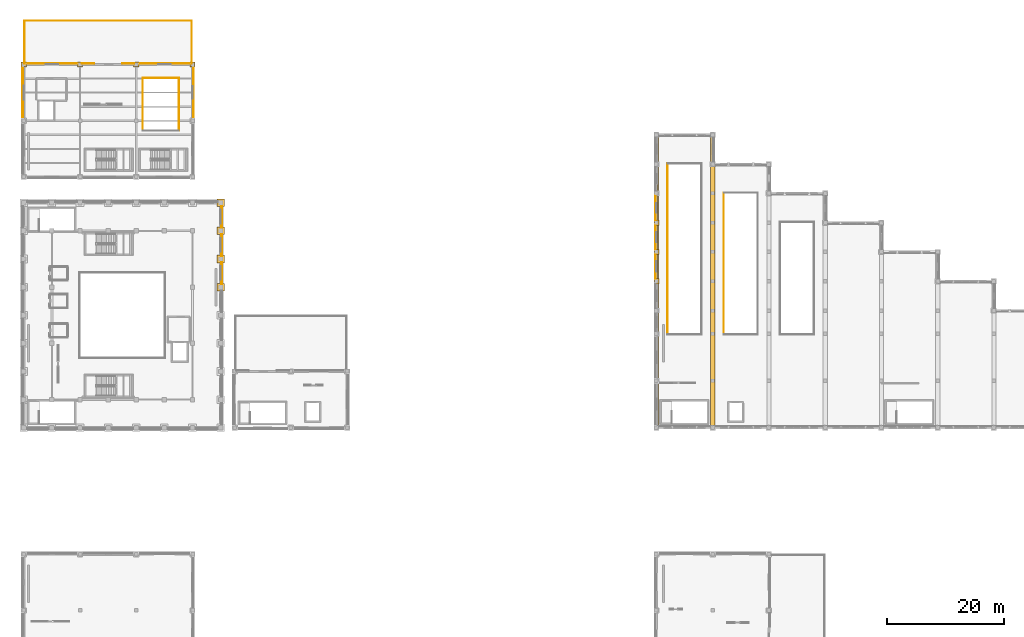
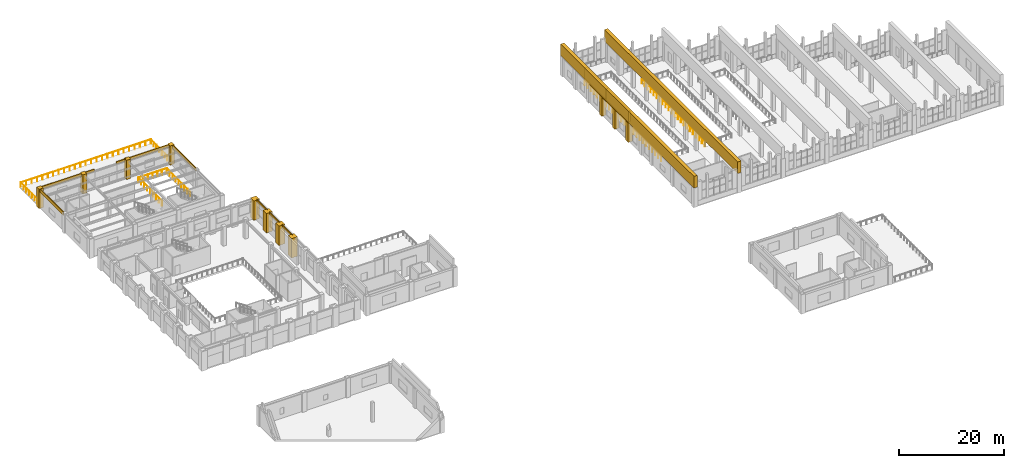
# One storey, part 43 of 46: 27 coverings, 8 railings.
"""IFC4 building model written with IfcOpenShell, lengths in metres."""

import ifcopenshell
import ifcopenshell.guid

model = None  # the IFC model being written
_history = None  # IfcOwnerHistory: only IFC2X3 demands one
_inside = {}  # id of a spatial element -> (the spatial element, [elements in it])
_under = {}  # id of a project, library or spatial element -> (it, [spatial elements below it])
_declared = {}  # id of a project -> (the project, [libraries it declares])
_typed = {}  # id of a type object -> (the type object, [elements of that type])
_made_of = {}  # id of a material, layer set ... -> (it, [elements and type objects made of it])


def new_model(schema):
    """Start an empty IFC model of exactly this schema.

    Asked for "IFC4X3", IfcOpenShell would pick the latest addendum, in which some entities
    have other attributes; the version numbers below select the first issue.
    IFC2X3 requires an IfcOwnerHistory on every rooted entity: one is made here for all.
    """
    global model, _history
    if schema == "IFC4X3":
        model = ifcopenshell.file(schema_version=(4, 3, 0, 0))
    else:
        model = ifcopenshell.file(schema=schema)
    _inside.clear()
    _under.clear()
    _declared.clear()
    _typed.clear()
    _made_of.clear()
    _history = None
    if model.schema == "IFC2X3":
        org = make("IfcOrganization", Name="unknown")
        user = make(
            "IfcPersonAndOrganization",
            ThePerson=make("IfcPerson", FamilyName="unknown"),
            TheOrganization=org,
        )
        app = make(
            "IfcApplication",
            ApplicationDeveloper=org,
            Version="unknown",
            ApplicationFullName="unknown",
            ApplicationIdentifier="unknown",
        )
        _history = make(
            "IfcOwnerHistory",
            OwningUser=user,
            OwningApplication=app,
            ChangeAction="ADDED",
            CreationDate=0,
        )
    return model


def make(cls, **values):
    """One entity of the class cls with the attributes given. An attribute that is None is left unset."""
    return model.create_entity(
        cls, **{name: value for name, value in values.items() if value is not None}
    )


def rooted(cls, **values):
    """An entity with a GlobalId (a new one), such as an element, a storey or a relation."""
    return make(cls, GlobalId=ifcopenshell.guid.new(), OwnerHistory=_history, **values)


def si_unit(unit_type, name, prefix=None):
    """IfcSIUnit, for example si_unit("LENGTHUNIT", "METRE", prefix="MILLI")."""
    return make("IfcSIUnit", UnitType=unit_type, Prefix=prefix, Name=name)


def assignment(units):
    """IfcUnitAssignment: the units of a project."""
    return None if units is None else make("IfcUnitAssignment", Units=units)


def point(xyz):
    """IfcCartesianPoint."""
    return None if xyz is None else make("IfcCartesianPoint", Coordinates=xyz)


def direction(xyz):
    """IfcDirection."""
    return None if xyz is None else make("IfcDirection", DirectionRatios=xyz)


def frame(location, z_axis=None, x_axis=None):
    """IfcAxis2Placement3D, a coordinate frame: its origin and axes. An axis left out is left unset."""
    return make(
        "IfcAxis2Placement3D",
        Location=point(location),
        Axis=direction(z_axis),
        RefDirection=direction(x_axis),
    )


def frame_2d(location, x_axis=None):
    """IfcAxis2Placement2D, a coordinate frame in the plane: its origin and x axis."""
    return make(
        "IfcAxis2Placement2D", Location=point(location), RefDirection=direction(x_axis)
    )


def origin():
    """The frame at (0, 0, 0) with its axes left unset."""
    return frame((0.0, 0.0, 0.0))


def origin_2d():
    """The frame at (0, 0) in the plane with its x axis left unset."""
    return frame_2d((0.0, 0.0))


def place(relative_to, where):
    """IfcLocalPlacement: puts the frame where relative to a parent placement (None: the world)."""
    return make(
        "IfcLocalPlacement", PlacementRelTo=relative_to, RelativePlacement=where
    )


def context(
    kind, dimensions, precision=None, world=None, true_north=None, identifier=None
):
    """IfcGeometricRepresentationContext, for example the 3D "Model" context."""
    return make(
        "IfcGeometricRepresentationContext",
        ContextIdentifier=identifier,
        ContextType=kind,
        CoordinateSpaceDimension=dimensions,
        Precision=precision,
        WorldCoordinateSystem=world,
        TrueNorth=true_north,
    )


def subcontext(parent, identifier, kind, view, scale=None):
    """IfcGeometricRepresentationSubContext, for example "Body" below "Model"."""
    return make(
        "IfcGeometricRepresentationSubContext",
        ContextIdentifier=identifier,
        ContextType=kind,
        ParentContext=parent,
        TargetScale=scale,
        TargetView=view,
    )


def project(units=None, contexts=None):
    """IfcProject with its units and contexts."""
    return rooted(
        "IfcProject",
        Name="project",
        RepresentationContexts=contexts,
        UnitsInContext=assignment(units),
    )


def spatial(cls, under=None, at=None, **own):
    """A site, building, storey or space (cls), placed at a placement, below another one or the project."""
    s = rooted(cls, ObjectPlacement=at, **own)
    if under is not None:
        _under.setdefault(under.id(), (under, []))[1].append(s)
    return s


def polyline(points):
    """IfcPolyline through the points."""
    return make("IfcPolyline", Points=[point(p) for p in points])


def profile(cls, at=None, kind="AREA", **sizes):
    """A parametric profile (cls). Its sizes go by their IFC names, for example OverallWidth=200.0."""
    return make(cls, ProfileType=kind, Position=at, **sizes)


def circle(**sizes):
    """IfcCircleProfileDef."""
    return profile("IfcCircleProfileDef", **sizes)


def outline(outer, holes=None, kind="AREA"):
    """IfcArbitraryClosedProfileDef: a profile drawn as a closed curve; with holes, ...WithVoids."""
    if holes is None:
        return make("IfcArbitraryClosedProfileDef", ProfileType=kind, OuterCurve=outer)
    return make(
        "IfcArbitraryProfileDefWithVoids",
        ProfileType=kind,
        OuterCurve=outer,
        InnerCurves=holes,
    )


def extrude(swept, where, along, depth):
    """IfcExtrudedAreaSolid: the profile swept, set in the frame where, extruded along a direction by depth."""
    return make(
        "IfcExtrudedAreaSolid",
        SweptArea=swept,
        Position=where,
        ExtrudedDirection=direction(along),
        Depth=depth,
    )


def shape(context_of_items, identifier, shape_type, items):
    """IfcShapeRepresentation: the items that make up one representation, for example the "Body"."""
    return make(
        "IfcShapeRepresentation",
        ContextOfItems=context_of_items,
        RepresentationIdentifier=identifier,
        RepresentationType=shape_type,
        Items=items,
    )


def material(Name=None, Category=None):
    """IfcMaterial."""
    return make("IfcMaterial", Name=Name, Category=Category)


def layer(
    of_material, thickness, ventilated=None, Name=None, Category=None, Priority=None
):
    """IfcMaterialLayer: one layer of a wall or slab, of a material (None: an air gap)."""
    return make(
        "IfcMaterialLayer",
        Material=of_material,
        LayerThickness=thickness,
        IsVentilated=ventilated,
        Name=Name,
        Category=Category,
        Priority=Priority,
    )


def layer_set(layers, Name=None):
    """IfcMaterialLayerSet."""
    return make("IfcMaterialLayerSet", MaterialLayers=layers, LayerSetName=Name)


def made_of(thing, what):
    """Note that an element or type object is made of a material, layer set ...; save() writes the relation."""
    if what is not None:
        _made_of.setdefault(what.id(), (what, []))[1].append(thing)
    return thing


def type_object(cls, material=None, **own):
    """A type object (cls), such as IfcWallType, which elements share."""
    return made_of(rooted(cls, **own), material)


def element(
    cls,
    number,
    at=None,
    inside=None,
    cuts=None,
    type_object=None,
    material=None,
    context=None,
    identifier="Body",
    shape_type=None,
    held_by="IfcProductDefinitionShape",
    body=None,
    shapes=None,
    **own,
):
    """One element of the class cls, such as IfcWall. Its Tag is "e" and its number.

    at: its placement. inside: the storey or other place that contains it. cuts: it is an
    opening in that element (IfcRelVoidsElement). A single representation is given by context,
    identifier, shape_type and body (its items); several are given by shapes. held_by: the class
    of the entity that holds the representations. save() writes the other relations.
    """
    e = rooted(cls, Tag="e%d" % number, ObjectPlacement=at, **own)
    if body is not None:
        shapes = [shape(context, identifier, shape_type, body)]
    if shapes is not None:
        e.Representation = make(held_by, Representations=shapes)
    if inside is not None:
        _inside.setdefault(inside.id(), (inside, []))[1].append(e)
    if cuts is not None:
        rooted(
            "IfcRelVoidsElement", RelatingBuildingElement=cuts, RelatedOpeningElement=e
        )
    if type_object is not None:
        _typed.setdefault(type_object.id(), (type_object, []))[1].append(e)
    return made_of(e, material)


def aggregate(whole, parts):
    """IfcRelAggregates: a whole, such as a stair, and the parts it consists of."""
    return rooted("IfcRelAggregates", RelatingObject=whole, RelatedObjects=parts)


def save(model, path):
    """Write the relations noted so far, then the file.

    IfcRelAggregates (storeys below a building ...), IfcRelContainedInSpatialStructure (elements
    in a storey), IfcRelDefinesByType, IfcRelAssociatesMaterial and IfcRelDeclares: one each for
    every whole, place, type object, material and project.
    """
    for whole, parts in _under.values():
        aggregate(whole, parts)
    for where, things in _inside.values():
        rooted(
            "IfcRelContainedInSpatialStructure",
            RelatedElements=things,
            RelatingStructure=where,
        )
    for kind, things in _typed.values():
        rooted("IfcRelDefinesByType", RelatedObjects=things, RelatingType=kind)
    for what, things in _made_of.values():
        rooted("IfcRelAssociatesMaterial", RelatedObjects=things, RelatingMaterial=what)
    for by, libraries in _declared.values():
        rooted("IfcRelDeclares", RelatingContext=by, RelatedDefinitions=libraries)
    model.write(path)


model = new_model("IFC4")

# Units and contexts
model_context = context("Model", 3, precision=1e-05, world=origin(), true_north=direction((0.0, 1.0)))
body_context = subcontext(model_context, "Body", "Model", "MODEL_VIEW")
ifc_project = project(units=[si_unit("LENGTHUNIT", "METRE"), si_unit("AREAUNIT", "SQUARE_METRE"), si_unit("VOLUMEUNIT", "CUBIC_METRE"), si_unit("PLANEANGLEUNIT", "RADIAN"), si_unit("MASSUNIT", "GRAM", prefix="KILO")], contexts=[model_context])

# Site, building, storey
site_placement = place(None, origin())
site = spatial("IfcSite", under=ifc_project, at=site_placement, CompositionType="ELEMENT")
building_placement = place(site_placement, origin())
building = spatial("IfcBuilding", under=site, at=building_placement, Name="Mavantir Sound Aquarium", CompositionType="ELEMENT")
storey_placement = place(building_placement, frame((0.0, 0.0, 15.300048828125)))
storey = spatial("IfcBuildingStorey", under=building, at=storey_placement, Name="L03", CompositionType="ELEMENT", Elevation=15.300048828125)

# Coverings
ifc_material_1 = material(Name="Honed Coral-Limestone & Glazed Terracotta Rainscreen Cladding", Category="masonry")
ifc_layer = layer(ifc_material_1, 0.06005859375, Name="Honed Coral-Limestone & Glazed Terracotta Rainscreen Cladding")
ifc_layer_set = layer_set([ifc_layer], Name="Honed Coral-Limestone & Glazed Terracotta Rainscreen Cladding")
covering_type = type_object("IfcCoveringType", Name="COV-CLAD-TC", PredefinedType="CLADDING", material=ifc_layer_set)
covering_1_placement = place(storey_placement, frame((0.0, 0.0, 4.02490234375)))
element("IfcCovering", 1, at=covering_1_placement, inside=storey, type_object=covering_type, Name="L03 Postmodern coral-limestone spandrel frieze 404", PredefinedType="CLADDING", context=body_context, shape_type="SweptSolid", body=[
    extrude(outline(polyline([(33.68994140625, 65.18310546875), (33.68994140625, 69.217041015625), (33.840087890625, 69.217041015625), (33.840087890625, 65.18310546875), (33.68994140625, 65.18310546875)])), origin(), (0.0, 0.0, 1.0), 0.47509765625),
])
covering_2_placement = place(storey_placement, frame((0.0, 0.0, 4.02490234375)))
element("IfcCovering", 2, at=covering_2_placement, inside=storey, type_object=covering_type, Name="L03 Postmodern coral-limestone spandrel frieze 405", PredefinedType="CLADDING", context=body_context, shape_type="SweptSolid", body=[
    extrude(outline(polyline([(33.68994140625, 69.98291015625), (33.68994140625, 74.01708984375), (33.840087890625, 74.01708984375), (33.840087890625, 69.98291015625), (33.68994140625, 69.98291015625)])), origin(), (0.0, 0.0, 1.0), 0.47509765625),
])
covering_3_placement = place(storey_placement, frame((0.0, 0.0, 4.02490234375)))
element("IfcCovering", 3, at=covering_3_placement, inside=storey, type_object=covering_type, Name="L03 Postmodern coral-limestone spandrel frieze 406", PredefinedType="CLADDING", context=body_context, shape_type="SweptSolid", body=[
    extrude(outline(polyline([(33.68994140625, 74.782958984375), (33.68994140625, 78.81689453125), (33.840087890625, 78.81689453125), (33.840087890625, 74.782958984375), (33.68994140625, 74.782958984375)])), origin(), (0.0, 0.0, 1.0), 0.47509765625),
])
covering_4_placement = place(storey_placement, frame((0.0, 0.0, 4.10986328125)))
element("IfcCovering", 4, at=covering_4_placement, inside=storey, type_object=covering_type, Name="L03 Postmodern coral-limestone spandrel frieze 454", PredefinedType="CLADDING", context=body_context, shape_type="SweptSolid", body=[
    extrude(outline(polyline([(107.909912109375, 80.491943359375), (107.909912109375, 76.10791015625), (107.760009765625, 76.10791015625), (107.760009765625, 80.491943359375), (107.909912109375, 80.491943359375)])), origin(), (0.0, 0.0, 1.0), 0.39013671875),
])
covering_5_placement = place(storey_placement, frame((0.0, 0.0, 4.10986328125)))
element("IfcCovering", 5, at=covering_5_placement, inside=storey, type_object=covering_type, Name="L03 Postmodern coral-limestone spandrel frieze 455", PredefinedType="CLADDING", context=body_context, shape_type="SweptSolid", body=[
    extrude(outline(polyline([(107.909912109375, 75.491943359375), (107.909912109375, 71.10791015625), (107.760009765625, 71.10791015625), (107.760009765625, 75.491943359375), (107.909912109375, 75.491943359375)])), origin(), (0.0, 0.0, 1.0), 0.39013671875),
])
covering_6_placement = place(storey_placement, frame((0.0, 0.0, 4.10986328125)))
element("IfcCovering", 6, at=covering_6_placement, inside=storey, type_object=covering_type, Name="L03 Postmodern coral-limestone spandrel frieze 456", PredefinedType="CLADDING", context=body_context, shape_type="SweptSolid", body=[
    extrude(outline(polyline([(107.909912109375, 70.491943359375), (107.909912109375, 66.10791015625), (107.760009765625, 66.10791015625), (107.760009765625, 70.491943359375), (107.909912109375, 70.491943359375)])), origin(), (0.0, 0.0, 1.0), 0.39013671875),
])
covering_7_placement = place(storey_placement, frame((0.0, 0.0, 3.77294921875)))
element("IfcCovering", 7, at=covering_7_placement, inside=storey, type_object=covering_type, Name="L03 Postmodern coral-limestone spandrel frieze 465", PredefinedType="CLADDING", context=body_context, shape_type="SweptSolid", body=[
    extrude(outline(polyline([(28.889892578125, 93.508056640625), (28.889892578125, 102.491943359375), (29.0400390625, 102.491943359375), (29.0400390625, 93.508056640625), (28.889892578125, 93.508056640625)])), origin(), (0.0, 0.0, 1.0), 0.72705078125),
])
covering_8_placement = place(storey_placement, frame((0.0, 0.0, 3.827880859375)))
element("IfcCovering", 8, at=covering_8_placement, inside=storey, type_object=covering_type, Name="L03 Postmodern coral-limestone spandrel frieze 466", PredefinedType="CLADDING", context=body_context, shape_type="SweptSolid", body=[
    extrude(outline(polyline([(28.491943359375, 102.889892578125), (19.508056640625, 102.889892578125), (19.508056640625, 103.0400390625), (28.491943359375, 103.0400390625), (28.491943359375, 102.889892578125)])), origin(), (0.0, 0.0, 1.0), 0.672119140625),
])
covering_9_placement = place(storey_placement, frame((0.0, 0.0, 3.932861328125)))
element("IfcCovering", 9, at=covering_9_placement, inside=storey, type_object=covering_type, Name="L03 Postmodern coral-limestone spandrel frieze 467", PredefinedType="CLADDING", context=body_context, shape_type="SweptSolid", body=[
    extrude(outline(polyline([(18.89208984375, 102.889892578125), (16.804931640625, 102.889892578125), (16.804931640625, 103.0400390625), (18.89208984375, 103.0400390625), (18.89208984375, 102.889892578125)])), origin(), (0.0, 0.0, 1.0), 0.567138671875),
])
covering_10_placement = place(storey_placement, frame((0.0, 0.0, 3.932861328125)))
element("IfcCovering", 10, at=covering_10_placement, inside=storey, type_object=covering_type, Name="L03 Postmodern coral-limestone spandrel frieze 468", PredefinedType="CLADDING", context=body_context, shape_type="SweptSolid", body=[
    extrude(outline(polyline([(11.9951171875, 102.889892578125), (9.907958984375, 102.889892578125), (9.907958984375, 103.0400390625), (11.9951171875, 103.0400390625), (11.9951171875, 102.889892578125)])), origin(), (0.0, 0.0, 1.0), 0.567138671875),
])
covering_11_placement = place(storey_placement, frame((0.0, 0.0, 3.827880859375)))
element("IfcCovering", 11, at=covering_11_placement, inside=storey, type_object=covering_type, Name="L03 Postmodern coral-limestone spandrel frieze 469", PredefinedType="CLADDING", context=body_context, shape_type="SweptSolid", body=[
    extrude(outline(polyline([(9.2919921875, 102.889892578125), (0.30810546875, 102.889892578125), (0.30810546875, 103.0400390625), (9.2919921875, 103.0400390625), (9.2919921875, 102.889892578125)])), origin(), (0.0, 0.0, 1.0), 0.672119140625),
])
covering_12_placement = place(storey_placement, frame((0.0, 0.0, 3.718994140625)))
element("IfcCovering", 12, at=covering_12_placement, inside=storey, type_object=covering_type, Name="L03 Postmodern coral-limestone spandrel frieze 470", PredefinedType="CLADDING", context=body_context, shape_type="SweptSolid", body=[
    extrude(outline(polyline([(-0.090087890625, 102.491943359375), (-0.090087890625, 93.508056640625), (-0.239990234375, 93.508056640625), (-0.239990234375, 102.491943359375), (-0.090087890625, 102.491943359375)])), origin(), (0.0, 0.0, 1.0), 0.781005859375),
])
covering_13_placement = place(storey_placement, origin())
element("IfcCovering", 13, at=covering_13_placement, inside=storey, type_object=covering_type, Name="L03 Postmodern coral-limestone pilaster casing 108", PredefinedType="CLADDING", context=body_context, shape_type="SweptSolid", body=[
    extrude(outline(polyline([(32.949951171875, 64.14990234375), (34.25, 64.14990234375), (34.25, 65.449951171875), (32.949951171875, 65.449951171875), (32.949951171875, 64.14990234375)])), origin(), (0.0, 0.0, 1.0), 4.5),
])
covering_14_placement = place(storey_placement, origin())
element("IfcCovering", 14, at=covering_14_placement, inside=storey, type_object=covering_type, Name="L03 Postmodern coral-limestone pilaster casing 112", PredefinedType="CLADDING", context=body_context, shape_type="SweptSolid", body=[
    extrude(outline(polyline([(32.949951171875, 68.949951171875), (34.25, 68.949951171875), (34.25, 70.25), (32.949951171875, 70.25), (32.949951171875, 68.949951171875)])), origin(), (0.0, 0.0, 1.0), 4.5),
])
covering_15_placement = place(storey_placement, origin())
element("IfcCovering", 15, at=covering_15_placement, inside=storey, type_object=covering_type, Name="L03 Postmodern coral-limestone pilaster casing 116", PredefinedType="CLADDING", context=body_context, shape_type="SweptSolid", body=[
    extrude(outline(polyline([(32.949951171875, 73.75), (34.25, 73.75), (34.25, 75.050048828125), (32.949951171875, 75.050048828125), (32.949951171875, 73.75)])), origin(), (0.0, 0.0, 1.0), 4.5),
])
covering_16_placement = place(storey_placement, origin())
element("IfcCovering", 16, at=covering_16_placement, inside=storey, type_object=covering_type, Name="L03 Postmodern coral-limestone pilaster casing 120", PredefinedType="CLADDING", context=body_context, shape_type="SweptSolid", body=[
    extrude(outline(polyline([(32.949951171875, 78.550048828125), (34.25, 78.550048828125), (34.25, 79.85009765625), (32.949951171875, 79.85009765625), (32.949951171875, 78.550048828125)])), origin(), (0.0, 0.0, 1.0), 4.5),
])
covering_17_placement = place(storey_placement, origin())
element("IfcCovering", 17, at=covering_17_placement, inside=storey, type_object=covering_type, Name="L03 Postmodern coral-limestone pilaster casing 238", PredefinedType="CLADDING", context=body_context, shape_type="SweptSolid", body=[
    extrude(outline(polyline([(107.5400390625, 65.340087890625), (108.4599609375, 65.340087890625), (108.4599609375, 66.260009765625), (107.5400390625, 66.260009765625), (107.5400390625, 65.340087890625)])), origin(), (0.0, 0.0, 1.0), 4.5),
])
covering_18_placement = place(storey_placement, origin())
element("IfcCovering", 18, at=covering_18_placement, inside=storey, type_object=covering_type, Name="L03 Postmodern coral-limestone pilaster casing 240", PredefinedType="CLADDING", context=body_context, shape_type="SweptSolid", body=[
    extrude(outline(polyline([(107.5400390625, 70.340087890625), (108.4599609375, 70.340087890625), (108.4599609375, 71.260009765625), (107.5400390625, 71.260009765625), (107.5400390625, 70.340087890625)])), origin(), (0.0, 0.0, 1.0), 4.5),
])
covering_19_placement = place(storey_placement, origin())
element("IfcCovering", 19, at=covering_19_placement, inside=storey, type_object=covering_type, Name="L03 Postmodern coral-limestone pilaster casing 242", PredefinedType="CLADDING", context=body_context, shape_type="SweptSolid", body=[
    extrude(outline(polyline([(107.5400390625, 75.340087890625), (108.4599609375, 75.340087890625), (108.4599609375, 76.260009765625), (107.5400390625, 76.260009765625), (107.5400390625, 75.340087890625)])), origin(), (0.0, 0.0, 1.0), 4.5),
])
covering_20_placement = place(storey_placement, origin())
element("IfcCovering", 20, at=covering_20_placement, inside=storey, type_object=covering_type, Name="L03 Postmodern coral-limestone pilaster casing 358", PredefinedType="CLADDING", context=body_context, shape_type="SweptSolid", body=[
    extrude(outline(polyline([(-0.4599609375, 102.340087890625), (0.4599609375, 102.340087890625), (0.4599609375, 103.260009765625), (-0.4599609375, 103.260009765625), (-0.4599609375, 102.340087890625)])), origin(), (0.0, 0.0, 1.0), 4.5),
])
covering_21_placement = place(storey_placement, origin())
element("IfcCovering", 21, at=covering_21_placement, inside=storey, type_object=covering_type, Name="L03 Postmodern coral-limestone pilaster casing 372", PredefinedType="CLADDING", context=body_context, shape_type="SweptSolid", body=[
    extrude(outline(polyline([(9.139892578125, 102.340087890625), (10.06005859375, 102.340087890625), (10.06005859375, 103.260009765625), (9.139892578125, 103.260009765625), (9.139892578125, 102.340087890625)])), origin(), (0.0, 0.0, 1.0), 4.5),
])
covering_22_placement = place(storey_placement, origin())
element("IfcCovering", 22, at=covering_22_placement, inside=storey, type_object=covering_type, Name="L03 Postmodern coral-limestone pilaster casing 384", PredefinedType="CLADDING", context=body_context, shape_type="SweptSolid", body=[
    extrude(outline(polyline([(18.739990234375, 102.340087890625), (19.659912109375, 102.340087890625), (19.659912109375, 103.260009765625), (18.739990234375, 103.260009765625), (18.739990234375, 102.340087890625)])), origin(), (0.0, 0.0, 1.0), 4.5),
])
covering_23_placement = place(storey_placement, origin())
element("IfcCovering", 23, at=covering_23_placement, inside=storey, type_object=covering_type, Name="L03 Postmodern coral-limestone pilaster casing 401", PredefinedType="CLADDING", context=body_context, shape_type="SweptSolid", body=[
    extrude(outline(polyline([(28.340087890625, 102.340087890625), (29.260009765625, 102.340087890625), (29.260009765625, 103.260009765625), (28.340087890625, 103.260009765625), (28.340087890625, 102.340087890625)])), origin(), (0.0, 0.0, 1.0), 4.5),
])
covering_24_placement = place(storey_placement, frame((0.0, 0.0, 4.5)))
element("IfcCovering", 24, at=covering_24_placement, inside=storey, type_object=covering_type, Name="V4 scalloped ridge coral-limestone frieze W.2", PredefinedType="CLADDING", context=body_context, shape_type="SweptSolid", body=[
    extrude(outline(polyline([(107.780029296875, 73.71337890625), (108.219970703125, 73.71337890625), (108.219970703125, 82.28662109375), (107.780029296875, 82.28662109375), (107.780029296875, 73.71337890625)])), origin(), (0.0, 0.0, 1.0), 2.5),
])
covering_25_placement = place(storey_placement, frame((0.0, 0.0, 4.5)))
element("IfcCovering", 25, at=covering_25_placement, inside=storey, type_object=covering_type, Name="V4 scalloped ridge coral-limestone frieze W.3", PredefinedType="CLADDING", context=body_context, shape_type="SweptSolid", body=[
    extrude(outline(polyline([(107.780029296875, 65.580078125), (108.219970703125, 65.580078125), (108.219970703125, 74.1533203125), (107.780029296875, 74.1533203125), (107.780029296875, 65.580078125)])), origin(), (0.0, 0.0, 1.0), 2.5),
])
covering_26_placement = place(storey_placement, frame((0.0, 0.0, 4.5)))
element("IfcCovering", 26, at=covering_26_placement, inside=storey, type_object=covering_type, Name="V4 scalloped straight ridge limestone casing 1", PredefinedType="CLADDING", context=body_context, shape_type="SweptSolid", body=[
    extrude(outline(polyline([(107.639892578125, 40.449951171875), (108.360107421875, 40.449951171875), (108.360107421875, 91.14990234375), (107.639892578125, 91.14990234375), (107.639892578125, 40.449951171875)])), origin(), (0.0, 0.0, 1.0), 2.679931640625),
])
covering_27_placement = place(storey_placement, frame((0.0, 0.0, 4.5)))
element("IfcCovering", 27, at=covering_27_placement, inside=storey, type_object=covering_type, Name="V4 scalloped straight ridge limestone casing 2", PredefinedType="CLADDING", context=body_context, shape_type="SweptSolid", body=[
    extrude(outline(polyline([(117.239990234375, 40.449951171875), (117.9599609375, 40.449951171875), (117.9599609375, 91.14990234375), (117.239990234375, 91.14990234375), (117.239990234375, 40.449951171875)])), origin(), (0.0, 0.0, 1.0), 2.679931640625),
])

# Railings
ifc_material_2 = material(Name="Stainless Steel 316 and Laminated Glass Guardrail", Category="steel")
railing_type = type_object("IfcRailingType", Name="RL-GUARD-110", PredefinedType="GUARDRAIL", material=ifc_material_2)
railing_1_placement = place(storey_placement, frame((0.1201171875, 102.919921875, 0.0)))
element("IfcRailing", 28, at=railing_1_placement, inside=storey, type_object=railing_type, Name="L03 terrace W guardrail 30", PredefinedType="GUARDRAIL", context=body_context, shape_type="SweptSolid", body=[
    extrude(circle(Radius=0.02392578125, at=origin_2d()), frame((0.0, 0.0, 1.076171875), z_axis=(0.0, 1.0, 0.0), x_axis=(-1.0, 0.0, 0.0)), (0.0, 0.0, 1.0), 7.360107421875),
    extrude(circle(Radius=0.02099609375, at=origin_2d()), origin(), (0.0, 0.0, 1.0), 1.052001953125),
    extrude(circle(Radius=0.02099609375, at=origin_2d()), frame((0.0, 1.051513671875, 0.0)), (0.0, 0.0, 1.0), 1.052001953125),
    extrude(circle(Radius=0.02099609375, at=origin_2d()), frame((0.0, 2.102783203125, 0.0)), (0.0, 0.0, 1.0), 1.052001953125),
    extrude(circle(Radius=0.02099609375, at=origin_2d()), frame((0.0, 3.154296875, 0.0)), (0.0, 0.0, 1.0), 1.052001953125),
    extrude(circle(Radius=0.02099609375, at=origin_2d()), frame((0.0, 4.205810546875, 0.0)), (0.0, 0.0, 1.0), 1.052001953125),
    extrude(circle(Radius=0.02099609375, at=origin_2d()), frame((0.0, 5.25732421875, 0.0)), (0.0, 0.0, 1.0), 1.052001953125),
    extrude(circle(Radius=0.02099609375, at=origin_2d()), frame((0.0, 6.30859375, 0.0)), (0.0, 0.0, 1.0), 1.052001953125),
    extrude(circle(Radius=0.02099609375, at=origin_2d()), frame((0.0, 7.360107421875, 0.0)), (0.0, 0.0, 1.0), 1.052001953125),
])
railing_2_placement = place(storey_placement, frame((0.1201171875, 110.280029296875, 0.0)))
element("IfcRailing", 29, at=railing_2_placement, inside=storey, type_object=railing_type, Name="L03 terrace N guardrail 31", PredefinedType="GUARDRAIL", context=body_context, shape_type="SweptSolid", body=[
    extrude(circle(Radius=0.02392578125, at=origin_2d()), frame((0.0, 0.0, 1.076171875), z_axis=(1.0, 0.0, 0.0), x_axis=(0.0, 1.0, 0.0)), (0.0, 0.0, 1.0), 28.559814453125),
    extrude(circle(Radius=0.02099609375, at=origin_2d()), origin(), (0.0, 0.0, 1.0), 1.052001953125),
    extrude(circle(Radius=0.02099609375, at=origin_2d()), frame((1.18994140625, 0.0, 0.0)), (0.0, 0.0, 1.0), 1.052001953125),
    extrude(circle(Radius=0.02099609375, at=origin_2d()), frame((2.3798828125, 0.0, 0.0)), (0.0, 0.0, 1.0), 1.052001953125),
    extrude(circle(Radius=0.02099609375, at=origin_2d()), frame((3.570068359375, 0.0, 0.0)), (0.0, 0.0, 1.0), 1.052001953125),
    extrude(circle(Radius=0.02099609375, at=origin_2d()), frame((4.760009765625, 0.0, 0.0)), (0.0, 0.0, 1.0), 1.052001953125),
    extrude(circle(Radius=0.02099609375, at=origin_2d()), frame((5.949951171875, 0.0, 0.0)), (0.0, 0.0, 1.0), 1.052001953125),
    extrude(circle(Radius=0.02099609375, at=origin_2d()), frame((7.139892578125, 0.0, 0.0)), (0.0, 0.0, 1.0), 1.052001953125),
    extrude(circle(Radius=0.02099609375, at=origin_2d()), frame((8.329833984375, 0.0, 0.0)), (0.0, 0.0, 1.0), 1.052001953125),
    extrude(circle(Radius=0.02099609375, at=origin_2d()), frame((9.52001953125, 0.0, 0.0)), (0.0, 0.0, 1.0), 1.052001953125),
    extrude(circle(Radius=0.02099609375, at=origin_2d()), frame((10.7099609375, 0.0, 0.0)), (0.0, 0.0, 1.0), 1.052001953125),
    extrude(circle(Radius=0.02099609375, at=origin_2d()), frame((11.89990234375, 0.0, 0.0)), (0.0, 0.0, 1.0), 1.052001953125),
    extrude(circle(Radius=0.02099609375, at=origin_2d()), frame((13.08984375, 0.0, 0.0)), (0.0, 0.0, 1.0), 1.052001953125),
    extrude(circle(Radius=0.02099609375, at=origin_2d()), frame((14.27978515625, 0.0, 0.0)), (0.0, 0.0, 1.0), 1.052001953125),
    extrude(circle(Radius=0.02099609375, at=origin_2d()), frame((15.469970703125, 0.0, 0.0)), (0.0, 0.0, 1.0), 1.052001953125),
    extrude(circle(Radius=0.02099609375, at=origin_2d()), frame((16.659912109375, 0.0, 0.0)), (0.0, 0.0, 1.0), 1.052001953125),
    extrude(circle(Radius=0.02099609375, at=origin_2d()), frame((17.849853515625, 0.0, 0.0)), (0.0, 0.0, 1.0), 1.052001953125),
    extrude(circle(Radius=0.02099609375, at=origin_2d()), frame((19.039794921875, 0.0, 0.0)), (0.0, 0.0, 1.0), 1.052001953125),
    extrude(circle(Radius=0.02099609375, at=origin_2d()), frame((20.22998046875, 0.0, 0.0)), (0.0, 0.0, 1.0), 1.052001953125),
    extrude(circle(Radius=0.02099609375, at=origin_2d()), frame((21.419921875, 0.0, 0.0)), (0.0, 0.0, 1.0), 1.052001953125),
    extrude(circle(Radius=0.02099609375, at=origin_2d()), frame((22.60986328125, 0.0, 0.0)), (0.0, 0.0, 1.0), 1.052001953125),
    extrude(circle(Radius=0.02099609375, at=origin_2d()), frame((23.7998046875, 0.0, 0.0)), (0.0, 0.0, 1.0), 1.052001953125),
    extrude(circle(Radius=0.02099609375, at=origin_2d()), frame((24.98974609375, 0.0, 0.0)), (0.0, 0.0, 1.0), 1.052001953125),
    extrude(circle(Radius=0.02099609375, at=origin_2d()), frame((26.179931640625, 0.0, 0.0)), (0.0, 0.0, 1.0), 1.052001953125),
    extrude(circle(Radius=0.02099609375, at=origin_2d()), frame((27.369873046875, 0.0, 0.0)), (0.0, 0.0, 1.0), 1.052001953125),
    extrude(circle(Radius=0.02099609375, at=origin_2d()), frame((28.559814453125, 0.0, 0.0)), (0.0, 0.0, 1.0), 1.052001953125),
])
railing_3_placement = place(storey_placement, frame((28.679931640625, 102.919921875, 0.0)))
element("IfcRailing", 30, at=railing_3_placement, inside=storey, type_object=railing_type, Name="L03 terrace E guardrail 32", PredefinedType="GUARDRAIL", context=body_context, shape_type="SweptSolid", body=[
    extrude(circle(Radius=0.02392578125, at=origin_2d()), frame((0.0, 0.0, 1.076171875), z_axis=(0.0, 1.0, 0.0), x_axis=(-1.0, 0.0, 0.0)), (0.0, 0.0, 1.0), 7.360107421875),
    extrude(circle(Radius=0.02099609375, at=origin_2d()), origin(), (0.0, 0.0, 1.0), 1.052001953125),
    extrude(circle(Radius=0.02099609375, at=origin_2d()), frame((0.0, 1.051513671875, 0.0)), (0.0, 0.0, 1.0), 1.052001953125),
    extrude(circle(Radius=0.02099609375, at=origin_2d()), frame((0.0, 2.102783203125, 0.0)), (0.0, 0.0, 1.0), 1.052001953125),
    extrude(circle(Radius=0.02099609375, at=origin_2d()), frame((0.0, 3.154296875, 0.0)), (0.0, 0.0, 1.0), 1.052001953125),
    extrude(circle(Radius=0.02099609375, at=origin_2d()), frame((0.0, 4.205810546875, 0.0)), (0.0, 0.0, 1.0), 1.052001953125),
    extrude(circle(Radius=0.02099609375, at=origin_2d()), frame((0.0, 5.25732421875, 0.0)), (0.0, 0.0, 1.0), 1.052001953125),
    extrude(circle(Radius=0.02099609375, at=origin_2d()), frame((0.0, 6.30859375, 0.0)), (0.0, 0.0, 1.0), 1.052001953125),
    extrude(circle(Radius=0.02099609375, at=origin_2d()), frame((0.0, 7.360107421875, 0.0)), (0.0, 0.0, 1.0), 1.052001953125),
])
railing_4_placement = place(storey_placement, frame((26.5, 91.5, 0.0)))
element("IfcRailing", 31, at=railing_4_placement, inside=storey, type_object=railing_type, Name="L03 atrium void E guardrail 148", PredefinedType="GUARDRAIL", context=body_context, shape_type="SweptSolid", body=[
    extrude(circle(Radius=0.02392578125, at=origin_2d()), frame((0.0, 0.0, 1.076171875), z_axis=(0.0, 1.0, 0.0), x_axis=(-1.0, 0.0, 0.0)), (0.0, 0.0, 1.0), 8.919921875),
    extrude(circle(Radius=0.02099609375, at=origin_2d()), origin(), (0.0, 0.0, 1.0), 1.052001953125),
    extrude(circle(Radius=0.02099609375, at=origin_2d()), frame((0.0, 1.114990234375, 0.0)), (0.0, 0.0, 1.0), 1.052001953125),
    extrude(circle(Radius=0.02099609375, at=origin_2d()), frame((0.0, 2.22998046875, 0.0)), (0.0, 0.0, 1.0), 1.052001953125),
    extrude(circle(Radius=0.02099609375, at=origin_2d()), frame((0.0, 3.344970703125, 0.0)), (0.0, 0.0, 1.0), 1.052001953125),
    extrude(circle(Radius=0.02099609375, at=origin_2d()), frame((0.0, 4.4599609375, 0.0)), (0.0, 0.0, 1.0), 1.052001953125),
    extrude(circle(Radius=0.02099609375, at=origin_2d()), frame((0.0, 5.574951171875, 0.0)), (0.0, 0.0, 1.0), 1.052001953125),
    extrude(circle(Radius=0.02099609375, at=origin_2d()), frame((0.0, 6.68994140625, 0.0)), (0.0, 0.0, 1.0), 1.052001953125),
    extrude(circle(Radius=0.02099609375, at=origin_2d()), frame((0.0, 7.804931640625, 0.0)), (0.0, 0.0, 1.0), 1.052001953125),
    extrude(circle(Radius=0.02099609375, at=origin_2d()), frame((0.0, 8.919921875, 0.0)), (0.0, 0.0, 1.0), 1.052001953125),
])
railing_5_placement = place(storey_placement, frame((26.5, 100.5, 0.0)))
element("IfcRailing", 32, at=railing_5_placement, inside=storey, type_object=railing_type, Name="L03 atrium void N guardrail 149", PredefinedType="GUARDRAIL", context=body_context, shape_type="SweptSolid", body=[
    extrude(circle(Radius=0.02392578125, at=origin_2d()), frame((0.0, 0.0, 1.076171875), z_axis=(-1.0, 0.0, 0.0), x_axis=(0.0, -1.0, 0.0)), (0.0, 0.0, 1.0), 6.1201171875),
    extrude(circle(Radius=0.02099609375, at=origin_2d()), origin(), (0.0, 0.0, 1.0), 1.052001953125),
    extrude(circle(Radius=0.02099609375, at=origin_2d()), frame((-1.02001953125, 0.0, 0.0)), (0.0, 0.0, 1.0), 1.052001953125),
    extrude(circle(Radius=0.02099609375, at=origin_2d()), frame((-2.0400390625, 0.0, 0.0)), (0.0, 0.0, 1.0), 1.052001953125),
    extrude(circle(Radius=0.02099609375, at=origin_2d()), frame((-3.06005859375, 0.0, 0.0)), (0.0, 0.0, 1.0), 1.052001953125),
    extrude(circle(Radius=0.02099609375, at=origin_2d()), frame((-4.080078125, 0.0, 0.0)), (0.0, 0.0, 1.0), 1.052001953125),
    extrude(circle(Radius=0.02099609375, at=origin_2d()), frame((-5.10009765625, 0.0, 0.0)), (0.0, 0.0, 1.0), 1.052001953125),
    extrude(circle(Radius=0.02099609375, at=origin_2d()), frame((-6.1201171875, 0.0, 0.0)), (0.0, 0.0, 1.0), 1.052001953125),
])
railing_6_placement = place(storey_placement, frame((20.300048828125, 100.5, 0.0)))
element("IfcRailing", 33, at=railing_6_placement, inside=storey, type_object=railing_type, Name="L03 atrium void W guardrail 150", PredefinedType="GUARDRAIL", context=body_context, shape_type="SweptSolid", body=[
    extrude(circle(Radius=0.02392578125, at=origin_2d()), frame((0.0, 0.0, 1.076171875), z_axis=(0.0, -1.0, 0.0), x_axis=(1.0, 0.0, 0.0)), (0.0, 0.0, 1.0), 8.919921875),
    extrude(circle(Radius=0.02099609375, at=origin_2d()), origin(), (0.0, 0.0, 1.0), 1.052001953125),
    extrude(circle(Radius=0.02099609375, at=origin_2d()), frame((0.0, -1.114990234375, 0.0)), (0.0, 0.0, 1.0), 1.052001953125),
    extrude(circle(Radius=0.02099609375, at=origin_2d()), frame((0.0, -2.22998046875, 0.0)), (0.0, 0.0, 1.0), 1.052001953125),
    extrude(circle(Radius=0.02099609375, at=origin_2d()), frame((0.0, -3.344970703125, 0.0)), (0.0, 0.0, 1.0), 1.052001953125),
    extrude(circle(Radius=0.02099609375, at=origin_2d()), frame((0.0, -4.4599609375, 0.0)), (0.0, 0.0, 1.0), 1.052001953125),
    extrude(circle(Radius=0.02099609375, at=origin_2d()), frame((0.0, -5.574951171875, 0.0)), (0.0, 0.0, 1.0), 1.052001953125),
    extrude(circle(Radius=0.02099609375, at=origin_2d()), frame((0.0, -6.68994140625, 0.0)), (0.0, 0.0, 1.0), 1.052001953125),
    extrude(circle(Radius=0.02099609375, at=origin_2d()), frame((0.0, -7.804931640625, 0.0)), (0.0, 0.0, 1.0), 1.052001953125),
    extrude(circle(Radius=0.02099609375, at=origin_2d()), frame((0.0, -8.919921875, 0.0)), (0.0, 0.0, 1.0), 1.052001953125),
])
railing_7_placement = place(storey_placement, frame((109.89990234375, 85.89990234375, 0.0)))
element("IfcRailing", 34, at=railing_7_placement, inside=storey, type_object=railing_type, Name="L03 atrium void W guardrail 154", PredefinedType="GUARDRAIL", context=body_context, shape_type="SweptSolid", body=[
    extrude(circle(Radius=0.02392578125, at=origin_2d()), frame((0.0, 0.0, 1.076171875), z_axis=(0.0, -1.0, 0.0), x_axis=(1.0, 0.0, 0.0)), (0.0, 0.0, 1.0), 29.119873046875),
    extrude(circle(Radius=0.02099609375, at=origin_2d()), origin(), (0.0, 0.0, 1.0), 1.052001953125),
    extrude(circle(Radius=0.02099609375, at=origin_2d()), frame((0.0, -1.164794921875, 0.0)), (0.0, 0.0, 1.0), 1.052001953125),
    extrude(circle(Radius=0.02099609375, at=origin_2d()), frame((0.0, -2.32958984375, 0.0)), (0.0, 0.0, 1.0), 1.052001953125),
    extrude(circle(Radius=0.02099609375, at=origin_2d()), frame((0.0, -3.494384765625, 0.0)), (0.0, 0.0, 1.0), 1.052001953125),
    extrude(circle(Radius=0.02099609375, at=origin_2d()), frame((0.0, -4.6591796875, 0.0)), (0.0, 0.0, 1.0), 1.052001953125),
    extrude(circle(Radius=0.02099609375, at=origin_2d()), frame((0.0, -5.823974609375, 0.0)), (0.0, 0.0, 1.0), 1.052001953125),
    extrude(circle(Radius=0.02099609375, at=origin_2d()), frame((0.0, -6.98876953125, 0.0)), (0.0, 0.0, 1.0), 1.052001953125),
    extrude(circle(Radius=0.02099609375, at=origin_2d()), frame((0.0, -8.153564453125, 0.0)), (0.0, 0.0, 1.0), 1.052001953125),
    extrude(circle(Radius=0.02099609375, at=origin_2d()), frame((0.0, -9.318359375, 0.0)), (0.0, 0.0, 1.0), 1.052001953125),
    extrude(circle(Radius=0.02099609375, at=origin_2d()), frame((0.0, -10.483154296875, 0.0)), (0.0, 0.0, 1.0), 1.052001953125),
    extrude(circle(Radius=0.02099609375, at=origin_2d()), frame((0.0, -11.64794921875, 0.0)), (0.0, 0.0, 1.0), 1.052001953125),
    extrude(circle(Radius=0.02099609375, at=origin_2d()), frame((0.0, -12.812744140625, 0.0)), (0.0, 0.0, 1.0), 1.052001953125),
    extrude(circle(Radius=0.02099609375, at=origin_2d()), frame((0.0, -13.9775390625, 0.0)), (0.0, 0.0, 1.0), 1.052001953125),
    extrude(circle(Radius=0.02099609375, at=origin_2d()), frame((0.0, -15.142333984375, 0.0)), (0.0, 0.0, 1.0), 1.052001953125),
    extrude(circle(Radius=0.02099609375, at=origin_2d()), frame((0.0, -16.30712890625, 0.0)), (0.0, 0.0, 1.0), 1.052001953125),
    extrude(circle(Radius=0.02099609375, at=origin_2d()), frame((0.0, -17.471923828125, 0.0)), (0.0, 0.0, 1.0), 1.052001953125),
    extrude(circle(Radius=0.02099609375, at=origin_2d()), frame((0.0, -18.63671875, 0.0)), (0.0, 0.0, 1.0), 1.052001953125),
    extrude(circle(Radius=0.02099609375, at=origin_2d()), frame((0.0, -19.801513671875, 0.0)), (0.0, 0.0, 1.0), 1.052001953125),
    extrude(circle(Radius=0.02099609375, at=origin_2d()), frame((0.0, -20.96630859375, 0.0)), (0.0, 0.0, 1.0), 1.052001953125),
    extrude(circle(Radius=0.02099609375, at=origin_2d()), frame((0.0, -22.131103515625, 0.0)), (0.0, 0.0, 1.0), 1.052001953125),
    extrude(circle(Radius=0.02099609375, at=origin_2d()), frame((0.0, -23.2958984375, 0.0)), (0.0, 0.0, 1.0), 1.052001953125),
    extrude(circle(Radius=0.02099609375, at=origin_2d()), frame((0.0, -24.460693359375, 0.0)), (0.0, 0.0, 1.0), 1.052001953125),
    extrude(circle(Radius=0.02099609375, at=origin_2d()), frame((0.0, -25.62548828125, 0.0)), (0.0, 0.0, 1.0), 1.052001953125),
    extrude(circle(Radius=0.02099609375, at=origin_2d()), frame((0.0, -26.790283203125, 0.0)), (0.0, 0.0, 1.0), 1.052001953125),
    extrude(circle(Radius=0.02099609375, at=origin_2d()), frame((0.0, -27.955078125, 0.0)), (0.0, 0.0, 1.0), 1.052001953125),
    extrude(circle(Radius=0.02099609375, at=origin_2d()), frame((0.0, -29.119873046875, 0.0)), (0.0, 0.0, 1.0), 1.052001953125),
])
railing_8_placement = place(storey_placement, frame((119.5, 80.89990234375, 0.0)))
element("IfcRailing", 35, at=railing_8_placement, inside=storey, type_object=railing_type, Name="L03 atrium void W guardrail 158", PredefinedType="GUARDRAIL", context=body_context, shape_type="SweptSolid", body=[
    extrude(circle(Radius=0.02392578125, at=origin_2d()), frame((0.0, 0.0, 1.076171875), z_axis=(0.0, -1.0, 0.0), x_axis=(1.0, 0.0, 0.0)), (0.0, 0.0, 1.0), 24.119873046875),
    extrude(circle(Radius=0.02099609375, at=origin_2d()), origin(), (0.0, 0.0, 1.0), 1.052001953125),
    extrude(circle(Radius=0.02099609375, at=origin_2d()), frame((0.0, -1.148681640625, 0.0)), (0.0, 0.0, 1.0), 1.052001953125),
    extrude(circle(Radius=0.02099609375, at=origin_2d()), frame((0.0, -2.297119140625, 0.0)), (0.0, 0.0, 1.0), 1.052001953125),
    extrude(circle(Radius=0.02099609375, at=origin_2d()), frame((0.0, -3.44580078125, 0.0)), (0.0, 0.0, 1.0), 1.052001953125),
    extrude(circle(Radius=0.02099609375, at=origin_2d()), frame((0.0, -4.59423828125, 0.0)), (0.0, 0.0, 1.0), 1.052001953125),
    extrude(circle(Radius=0.02099609375, at=origin_2d()), frame((0.0, -5.742919921875, 0.0)), (0.0, 0.0, 1.0), 1.052001953125),
    extrude(circle(Radius=0.02099609375, at=origin_2d()), frame((0.0, -6.891357421875, 0.0)), (0.0, 0.0, 1.0), 1.052001953125),
    extrude(circle(Radius=0.02099609375, at=origin_2d()), frame((0.0, -8.0400390625, 0.0)), (0.0, 0.0, 1.0), 1.052001953125),
    extrude(circle(Radius=0.02099609375, at=origin_2d()), frame((0.0, -9.1884765625, 0.0)), (0.0, 0.0, 1.0), 1.052001953125),
    extrude(circle(Radius=0.02099609375, at=origin_2d()), frame((0.0, -10.337158203125, 0.0)), (0.0, 0.0, 1.0), 1.052001953125),
    extrude(circle(Radius=0.02099609375, at=origin_2d()), frame((0.0, -11.485595703125, 0.0)), (0.0, 0.0, 1.0), 1.052001953125),
    extrude(circle(Radius=0.02099609375, at=origin_2d()), frame((0.0, -12.63427734375, 0.0)), (0.0, 0.0, 1.0), 1.052001953125),
    extrude(circle(Radius=0.02099609375, at=origin_2d()), frame((0.0, -13.78271484375, 0.0)), (0.0, 0.0, 1.0), 1.052001953125),
    extrude(circle(Radius=0.02099609375, at=origin_2d()), frame((0.0, -14.931396484375, 0.0)), (0.0, 0.0, 1.0), 1.052001953125),
    extrude(circle(Radius=0.02099609375, at=origin_2d()), frame((0.0, -16.079833984375, 0.0)), (0.0, 0.0, 1.0), 1.052001953125),
    extrude(circle(Radius=0.02099609375, at=origin_2d()), frame((0.0, -17.228515625, 0.0)), (0.0, 0.0, 1.0), 1.052001953125),
    extrude(circle(Radius=0.02099609375, at=origin_2d()), frame((0.0, -18.376953125, 0.0)), (0.0, 0.0, 1.0), 1.052001953125),
    extrude(circle(Radius=0.02099609375, at=origin_2d()), frame((0.0, -19.525634765625, 0.0)), (0.0, 0.0, 1.0), 1.052001953125),
    extrude(circle(Radius=0.02099609375, at=origin_2d()), frame((0.0, -20.674072265625, 0.0)), (0.0, 0.0, 1.0), 1.052001953125),
    extrude(circle(Radius=0.02099609375, at=origin_2d()), frame((0.0, -21.82275390625, 0.0)), (0.0, 0.0, 1.0), 1.052001953125),
    extrude(circle(Radius=0.02099609375, at=origin_2d()), frame((0.0, -22.97119140625, 0.0)), (0.0, 0.0, 1.0), 1.052001953125),
    extrude(circle(Radius=0.02099609375, at=origin_2d()), frame((0.0, -24.119873046875, 0.0)), (0.0, 0.0, 1.0), 1.052001953125),
])

save(model, "model.ifc")
